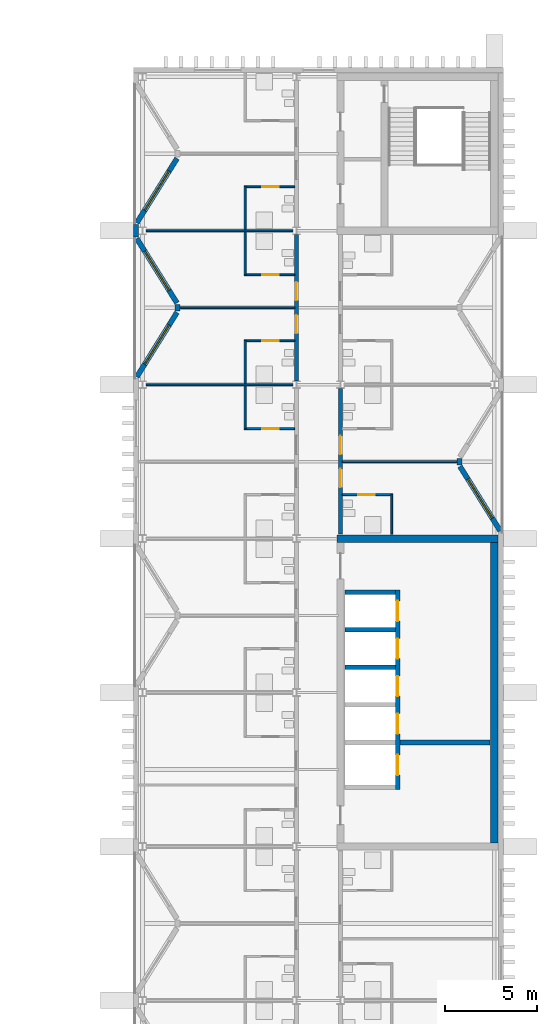
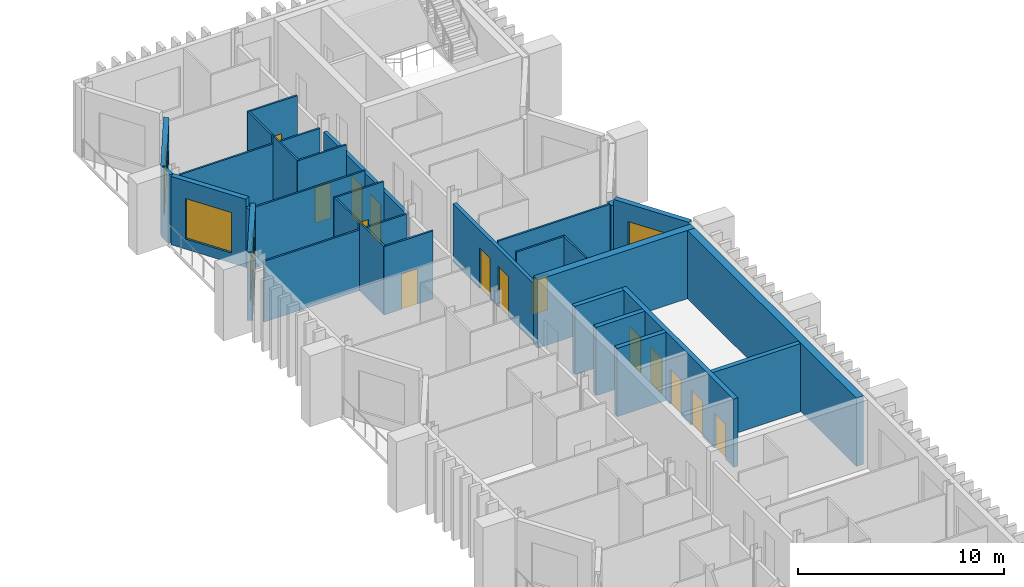
# One storey, part 14 of 18: 30 walls, 14 doors, 4 windows, 18 openings.
"""IFC4 building model written with IfcOpenShell, lengths in metres."""

from ifc_helpers import new_model, si_unit, direction, frame, frame_2d, origin, place, context, subcontext, project, spatial, rectangle, extrude, material, layer, layer_set, type_object, element, fill, save


model = new_model("IFC4")

# Units and contexts
model_context = context("Model", 3, precision=1e-05, world=origin(), true_north=direction((0.0, 1.0)))
body_context = subcontext(model_context, "Body", "Model", "MODEL_VIEW")
ifc_project = project(units=[si_unit("LENGTHUNIT", "METRE"), si_unit("AREAUNIT", "SQUARE_METRE"), si_unit("VOLUMEUNIT", "CUBIC_METRE"), si_unit("PLANEANGLEUNIT", "RADIAN"), si_unit("MASSUNIT", "GRAM", prefix="KILO")], contexts=[model_context])

# Site, building, storey
site_placement = place(None, origin())
site = spatial("IfcSite", under=ifc_project, at=site_placement, CompositionType="ELEMENT")
building_placement = place(site_placement, origin())
building = spatial("IfcBuilding", under=site, at=building_placement, Name="Cresset Court Congress Hotel", CompositionType="ELEMENT")
storey_placement = place(building_placement, frame((0.0, 0.0, 35.39990234375)))
storey = spatial("IfcBuildingStorey", under=building, at=storey_placement, Name="L08", CompositionType="ELEMENT", Elevation=35.39990234375)

# Wall, openings, doors
ifc_material_1 = material(Name="Gypsum board partition")
ifc_layer_1 = layer(ifc_material_1, 0.199951171875)
ifc_layer_set_1 = layer_set([ifc_layer_1], Name="Corridor wall 200")
wall_type_1 = type_object("IfcWallType", Name="Corridor wall 200", PredefinedType="PARTITIONING", material=ifc_layer_set_1)
wall_1_placement = place(storey_placement, frame((165.60009765625, 50.60009765625, 0.0), z_axis=(0.0, 0.0, 1.0), x_axis=(0.0, 1.0, 0.0)))
wall_1 = element("IfcWall", 1, at=wall_1_placement, inside=storey, type_object=wall_type_1, Name="A.wl.L08.076", PredefinedType="PARTITIONING", context=body_context, shape_type="SweptSolid", body=[
    extrude(rectangle(XDim=8.0, YDim=0.199951171875, at=frame_2d((4.0, 0.0))), origin(), (0.0, 0.0, 1.0), 3.4501953125),
])
opening_1_placement = place(wall_1_placement, frame((2.60009765625, 0.0, 0.0)))
opening_1 = element("IfcOpeningElement", 2, at=opening_1_placement, cuts=wall_1, Name="Opening DA-08-26", PredefinedType="OPENING", context=body_context, shape_type="SweptSolid", body=[
    extrude(rectangle(XDim=1.0, YDim=2.39990234375, at=frame_2d((0.5, 1.199951171875))), frame((0.0, 0.10986328125, 0.0), z_axis=(0.0, -1.0, 0.0), x_axis=(1.0, 0.0, 0.0)), (0.0, 0.0, 1.0), 0.219970703125),
])
opening_2_placement = place(wall_1_placement, frame((4.39990234375, 0.0, 0.0)))
opening_2 = element("IfcOpeningElement", 3, at=opening_2_placement, cuts=wall_1, Name="Opening DA-08-28", PredefinedType="OPENING", context=body_context, shape_type="SweptSolid", body=[
    extrude(rectangle(XDim=1.0, YDim=2.39990234375, at=frame_2d((0.5, 1.199951171875))), frame((0.0, 0.10986328125, 0.0), z_axis=(0.0, -1.0, 0.0), x_axis=(1.0, 0.0, 0.0)), (0.0, 0.0, 1.0), 0.219970703125),
])
ifc_material_2 = material(Name="timber", Category="wood")
door_type_1 = type_object("IfcDoorType", Name="Guest-room entry door 1000x2400 FD30S", OperationType="SINGLE_SWING_LEFT", PredefinedType="DOOR", material=ifc_material_2)
door_1_placement = place(opening_1_placement, origin())
door_1 = element("IfcDoor", 4, at=door_1_placement, inside=storey, type_object=door_type_1, Name="Door DA-08-26", OperationType="SINGLE_SWING_RIGHT", OverallHeight=2.39990234375, OverallWidth=1.0, PredefinedType="DOOR", context=body_context, shape_type="SweptSolid", body=[
    extrude(rectangle(XDim=1.0, YDim=2.39990234375, at=frame_2d((0.5, 1.199951171875))), frame((0.0, 0.02490234375, 0.0), z_axis=(0.0, -1.0, 0.0), x_axis=(1.0, 0.0, 0.0)), (0.0, 0.0, 1.0), 0.050048828125),
])
fill(opening_1, door_1)
door_2_placement = place(opening_2_placement, origin())
door_2 = element("IfcDoor", 5, at=door_2_placement, inside=storey, type_object=door_type_1, Name="Door DA-08-28", OperationType="SINGLE_SWING_LEFT", OverallHeight=2.39990234375, OverallWidth=1.0, PredefinedType="DOOR", context=body_context, shape_type="SweptSolid", body=[
    extrude(rectangle(XDim=1.0, YDim=2.39990234375, at=frame_2d((0.5, 1.199951171875))), frame((0.0, 0.02490234375, 0.0), z_axis=(0.0, -1.0, 0.0), x_axis=(1.0, 0.0, 0.0)), (0.0, 0.0, 1.0), 0.050048828125),
])
fill(opening_2, door_2)

wall_2_placement = place(storey_placement, frame((168.0, 42.25, 0.0), z_axis=(0.0, 0.0, 1.0), x_axis=(0.0, 1.0, 0.0)))
wall_2 = element("IfcWall", 6, at=wall_2_placement, inside=storey, type_object=wall_type_1, Name="A.wl.L08.080", PredefinedType="PARTITIONING", context=body_context, shape_type="SweptSolid", body=[
    extrude(rectangle(XDim=7.949951171875, YDim=0.199951171875, at=frame_2d((3.97509765625, 0.0))), origin(), (0.0, 0.0, 1.0), 3.4501953125),
])
opening_3_placement = place(wall_2_placement, frame((2.550048828125, 0.0, 0.0)))
opening_3 = element("IfcOpeningElement", 7, at=opening_3_placement, cuts=wall_2, Name="Opening DA-08-42", PredefinedType="OPENING", context=body_context, shape_type="SweptSolid", body=[
    extrude(rectangle(XDim=1.0, YDim=2.39990234375, at=frame_2d((0.5, 1.199951171875))), frame((0.0, 0.10986328125, 0.0), z_axis=(0.0, -1.0, 0.0), x_axis=(1.0, 0.0, 0.0)), (0.0, 0.0, 1.0), 0.219970703125),
])
opening_4_placement = place(wall_2_placement, frame((4.35009765625, 0.0, 0.0)))
opening_4 = element("IfcOpeningElement", 8, at=opening_4_placement, cuts=wall_2, Name="Opening DA-08-44", PredefinedType="OPENING", context=body_context, shape_type="SweptSolid", body=[
    extrude(rectangle(XDim=1.0, YDim=2.39990234375, at=frame_2d((0.5, 1.199951171875))), frame((0.0, 0.10986328125, 0.0), z_axis=(0.0, -1.0, 0.0), x_axis=(1.0, 0.0, 0.0)), (0.0, 0.0, 1.0), 0.219970703125),
])
door_3_placement = place(opening_3_placement, origin())
door_3 = element("IfcDoor", 9, at=door_3_placement, inside=storey, type_object=door_type_1, Name="Door DA-08-42", OperationType="SINGLE_SWING_RIGHT", OverallHeight=2.39990234375, OverallWidth=1.0, PredefinedType="DOOR", context=body_context, shape_type="SweptSolid", body=[
    extrude(rectangle(XDim=1.0, YDim=2.39990234375, at=frame_2d((0.5, 1.199951171875))), frame((0.0, 0.02490234375, 0.0), z_axis=(0.0, -1.0, 0.0), x_axis=(1.0, 0.0, 0.0)), (0.0, 0.0, 1.0), 0.050048828125),
])
fill(opening_3, door_3)
door_4_placement = place(opening_4_placement, origin())
door_4 = element("IfcDoor", 10, at=door_4_placement, inside=storey, type_object=door_type_1, Name="Door DA-08-44", OperationType="SINGLE_SWING_LEFT", OverallHeight=2.39990234375, OverallWidth=1.0, PredefinedType="DOOR", context=body_context, shape_type="SweptSolid", body=[
    extrude(rectangle(XDim=1.0, YDim=2.39990234375, at=frame_2d((0.5, 1.199951171875))), frame((0.0, 0.02490234375, 0.0), z_axis=(0.0, -1.0, 0.0), x_axis=(1.0, 0.0, 0.0)), (0.0, 0.0, 1.0), 0.050048828125),
])
fill(opening_4, door_4)

# Wall
ifc_material_3 = material(Name="Gypsum board partition")
ifc_layer_2 = layer(ifc_material_3, 0.10009765625)
ifc_layer_set_2 = layer_set([ifc_layer_2], Name="En-suite wall 100")
wall_type_2 = type_object("IfcWallType", Name="En-suite wall 100", PredefinedType="PARTITIONING", material=ifc_layer_set_2)
wall_3_placement = place(storey_placement, frame((162.800048828125, 48.0, 0.0), z_axis=(0.0, 0.0, 1.0), x_axis=(0.0, 1.0, 0.0)))
element("IfcWall", 11, at=wall_3_placement, inside=storey, type_object=wall_type_2, Name="A.wl.L08.023", PredefinedType="PARTITIONING", context=body_context, shape_type="SweptSolid", body=[
    extrude(rectangle(XDim=2.324951171875, YDim=0.10009765625, at=frame_2d((1.16259765625, 0.0))), origin(), (0.0, 0.0, 1.0), 4.050048828125),
])

# Wall, opening, door
wall_4_placement = place(storey_placement, frame((162.75, 48.0, 0.0), z_axis=(0.0, 0.0, 1.0), x_axis=(1.0, 0.0, 0.0)))
wall_4 = element("IfcWall", 12, at=wall_4_placement, inside=storey, type_object=wall_type_2, Name="A.wl.L08.024", PredefinedType="PARTITIONING", context=body_context, shape_type="SweptSolid", body=[
    extrude(rectangle(XDim=2.75, YDim=0.10009765625, at=frame_2d((1.375, 0.0))), origin(), (0.0, 0.0, 1.0), 4.050048828125),
])
opening_5_placement = place(wall_4_placement, frame((0.97998046875, 0.0, 0.0)))
opening_5 = element("IfcOpeningElement", 13, at=opening_5_placement, cuts=wall_4, Name="Opening DA-08-23", PredefinedType="OPENING", context=body_context, shape_type="SweptSolid", body=[
    extrude(rectangle(XDim=0.89990234375, YDim=2.10009765625, at=frame_2d((0.449951171875, 1.050048828125))), frame((0.0, 0.06005859375, 0.0), z_axis=(0.0, -1.0, 0.0), x_axis=(1.0, 0.0, 0.0)), (0.0, 0.0, 1.0), 0.1201171875),
])
ifc_material_4 = material(Name="timber", Category="wood")
door_type_2 = type_object("IfcDoorType", Name="En-suite door 900x2100", OperationType="SINGLE_SWING_LEFT", PredefinedType="DOOR", material=ifc_material_4)
door_5_placement = place(opening_5_placement, origin())
door_5 = element("IfcDoor", 14, at=door_5_placement, inside=storey, type_object=door_type_2, Name="Door DA-08-23", OperationType="SINGLE_SWING_LEFT", OverallHeight=2.10009765625, OverallWidth=0.89990234375, PredefinedType="DOOR", context=body_context, shape_type="SweptSolid", body=[
    extrude(rectangle(XDim=0.89990234375, YDim=2.10009765625, at=frame_2d((0.449951171875, 1.050048828125))), frame((0.0, 0.02490234375, 0.0), z_axis=(0.0, -1.0, 0.0), x_axis=(1.0, 0.0, 0.0)), (0.0, 0.0, 1.0), 0.050048828125),
])
fill(opening_5, door_5)

# Wall
wall_5_placement = place(storey_placement, frame((162.800048828125, 50.47509765625, 0.0), z_axis=(0.0, 0.0, 1.0), x_axis=(0.0, 1.0, 0.0)))
element("IfcWall", 15, at=wall_5_placement, inside=storey, type_object=wall_type_2, Name="A.wl.L08.025", PredefinedType="PARTITIONING", context=body_context, shape_type="SweptSolid", body=[
    extrude(rectangle(XDim=2.324951171875, YDim=0.10009765625, at=frame_2d((1.16259765625, 0.0))), origin(), (0.0, 0.0, 1.0), 4.050048828125),
])

# Wall, opening, door
wall_6_placement = place(storey_placement, frame((162.75, 52.800048828125, 0.0), z_axis=(0.0, 0.0, 1.0), x_axis=(1.0, 0.0, 0.0)))
wall_6 = element("IfcWall", 16, at=wall_6_placement, inside=storey, type_object=wall_type_2, Name="A.wl.L08.026", PredefinedType="PARTITIONING", context=body_context, shape_type="SweptSolid", body=[
    extrude(rectangle(XDim=2.75, YDim=0.10009765625, at=frame_2d((1.375, 0.0))), origin(), (0.0, 0.0, 1.0), 4.050048828125),
])
opening_6_placement = place(wall_6_placement, frame((0.97998046875, 0.0, 0.0)))
opening_6 = element("IfcOpeningElement", 17, at=opening_6_placement, cuts=wall_6, Name="Opening DA-08-25", PredefinedType="OPENING", context=body_context, shape_type="SweptSolid", body=[
    extrude(rectangle(XDim=0.89990234375, YDim=2.10009765625, at=frame_2d((0.449951171875, 1.050048828125))), frame((0.0, 0.06005859375, 0.0), z_axis=(0.0, -1.0, 0.0), x_axis=(1.0, 0.0, 0.0)), (0.0, 0.0, 1.0), 0.1201171875),
])
door_6_placement = place(opening_6_placement, origin())
door_6 = element("IfcDoor", 18, at=door_6_placement, inside=storey, type_object=door_type_2, Name="Door DA-08-25", OperationType="SINGLE_SWING_RIGHT", OverallHeight=2.10009765625, OverallWidth=0.89990234375, PredefinedType="DOOR", context=body_context, shape_type="SweptSolid", body=[
    extrude(rectangle(XDim=0.89990234375, YDim=2.10009765625, at=frame_2d((0.449951171875, 1.050048828125))), frame((0.0, 0.02490234375, 0.0), z_axis=(0.0, -1.0, 0.0), x_axis=(1.0, 0.0, 0.0)), (0.0, 0.0, 1.0), 0.050048828125),
])
fill(opening_6, door_6)

# Wall
wall_7_placement = place(storey_placement, frame((162.800048828125, 56.39990234375, 0.0), z_axis=(0.0, 0.0, 1.0), x_axis=(0.0, 1.0, 0.0)))
element("IfcWall", 19, at=wall_7_placement, inside=storey, type_object=wall_type_2, Name="A.wl.L08.027", PredefinedType="PARTITIONING", context=body_context, shape_type="SweptSolid", body=[
    extrude(rectangle(XDim=2.3251953125, YDim=0.10009765625, at=frame_2d((1.16259765625, 0.0))), origin(), (0.0, 0.0, 1.0), 4.050048828125),
])

# Wall, opening, door
wall_8_placement = place(storey_placement, frame((162.75, 56.39990234375, 0.0), z_axis=(0.0, 0.0, 1.0), x_axis=(1.0, 0.0, 0.0)))
wall_8 = element("IfcWall", 20, at=wall_8_placement, inside=storey, type_object=wall_type_2, Name="A.wl.L08.028", PredefinedType="PARTITIONING", context=body_context, shape_type="SweptSolid", body=[
    extrude(rectangle(XDim=2.75, YDim=0.10009765625, at=frame_2d((1.375, 0.0))), origin(), (0.0, 0.0, 1.0), 4.050048828125),
])
opening_7_placement = place(wall_8_placement, frame((0.97998046875, 0.0, 0.0)))
opening_7 = element("IfcOpeningElement", 21, at=opening_7_placement, cuts=wall_8, Name="Opening DA-08-27", PredefinedType="OPENING", context=body_context, shape_type="SweptSolid", body=[
    extrude(rectangle(XDim=0.89990234375, YDim=2.10009765625, at=frame_2d((0.449951171875, 1.050048828125))), frame((0.0, 0.06005859375, 0.0), z_axis=(0.0, -1.0, 0.0), x_axis=(1.0, 0.0, 0.0)), (0.0, 0.0, 1.0), 0.1201171875),
])
door_7_placement = place(opening_7_placement, origin())
door_7 = element("IfcDoor", 22, at=door_7_placement, inside=storey, type_object=door_type_2, Name="Door DA-08-27", OperationType="SINGLE_SWING_LEFT", OverallHeight=2.10009765625, OverallWidth=0.89990234375, PredefinedType="DOOR", context=body_context, shape_type="SweptSolid", body=[
    extrude(rectangle(XDim=0.89990234375, YDim=2.10009765625, at=frame_2d((0.449951171875, 1.050048828125))), frame((0.0, 0.02490234375, 0.0), z_axis=(0.0, -1.0, 0.0), x_axis=(1.0, 0.0, 0.0)), (0.0, 0.0, 1.0), 0.050048828125),
])
fill(opening_7, door_7)

# Wall
wall_9_placement = place(storey_placement, frame((162.800048828125, 58.875, 0.0), z_axis=(0.0, 0.0, 1.0), x_axis=(0.0, 1.0, 0.0)))
element("IfcWall", 23, at=wall_9_placement, inside=storey, type_object=wall_type_2, Name="A.wl.L08.029", PredefinedType="PARTITIONING", context=body_context, shape_type="SweptSolid", body=[
    extrude(rectangle(XDim=2.324951171875, YDim=0.10009765625, at=frame_2d((1.16259765625, 0.0))), origin(), (0.0, 0.0, 1.0), 4.050048828125),
])

# Wall, opening, door
wall_10_placement = place(storey_placement, frame((162.75, 61.199951171875, 0.0), z_axis=(0.0, 0.0, 1.0), x_axis=(1.0, 0.0, 0.0)))
wall_10 = element("IfcWall", 24, at=wall_10_placement, inside=storey, type_object=wall_type_2, Name="A.wl.L08.030", PredefinedType="PARTITIONING", context=body_context, shape_type="SweptSolid", body=[
    extrude(rectangle(XDim=2.75, YDim=0.10009765625, at=frame_2d((1.375, 0.0))), origin(), (0.0, 0.0, 1.0), 4.050048828125),
])
opening_8_placement = place(wall_10_placement, frame((0.97998046875, 0.0, 0.0)))
opening_8 = element("IfcOpeningElement", 25, at=opening_8_placement, cuts=wall_10, Name="Opening DA-08-29", PredefinedType="OPENING", context=body_context, shape_type="SweptSolid", body=[
    extrude(rectangle(XDim=0.89990234375, YDim=2.10009765625, at=frame_2d((0.449951171875, 1.050048828125))), frame((0.0, 0.06005859375, 0.0), z_axis=(0.0, -1.0, 0.0), x_axis=(1.0, 0.0, 0.0)), (0.0, 0.0, 1.0), 0.1201171875),
])
door_8_placement = place(opening_8_placement, origin())
door_8 = element("IfcDoor", 26, at=door_8_placement, inside=storey, type_object=door_type_2, Name="Door DA-08-29", OperationType="SINGLE_SWING_RIGHT", OverallHeight=2.10009765625, OverallWidth=0.89990234375, PredefinedType="DOOR", context=body_context, shape_type="SweptSolid", body=[
    extrude(rectangle(XDim=0.89990234375, YDim=2.10009765625, at=frame_2d((0.449951171875, 1.050048828125))), frame((0.0, 0.02490234375, 0.0), z_axis=(0.0, -1.0, 0.0), x_axis=(1.0, 0.0, 0.0)), (0.0, 0.0, 1.0), 0.050048828125),
])
fill(opening_8, door_8)

# Wall
wall_11_placement = place(storey_placement, frame((170.800048828125, 42.25, 0.0), z_axis=(0.0, 0.0, 1.0), x_axis=(0.0, 1.0, 0.0)))
element("IfcWall", 27, at=wall_11_placement, inside=storey, type_object=wall_type_2, Name="A.wl.L08.041", PredefinedType="PARTITIONING", context=body_context, shape_type="SweptSolid", body=[
    extrude(rectangle(XDim=2.14990234375, YDim=0.10009765625, at=frame_2d((1.074951171875, 0.0))), origin(), (0.0, 0.0, 1.0), 4.050048828125),
])

# Wall, opening, door
wall_12_placement = place(storey_placement, frame((170.85009765625, 44.39990234375, 0.0), z_axis=(0.0, 0.0, 1.0), x_axis=(-1.0, 0.0, 0.0)))
wall_12 = element("IfcWall", 28, at=wall_12_placement, inside=storey, type_object=wall_type_2, Name="A.wl.L08.042", PredefinedType="PARTITIONING", context=body_context, shape_type="SweptSolid", body=[
    extrude(rectangle(XDim=2.75, YDim=0.10009765625, at=frame_2d((1.375, 0.0))), origin(), (0.0, 0.0, 1.0), 4.050048828125),
])
opening_9_placement = place(wall_12_placement, frame((0.97998046875, 0.0, 0.0)))
opening_9 = element("IfcOpeningElement", 29, at=opening_9_placement, cuts=wall_12, Name="Opening DA-08-41", PredefinedType="OPENING", context=body_context, shape_type="SweptSolid", body=[
    extrude(rectangle(XDim=0.89990234375, YDim=2.10009765625, at=frame_2d((0.449951171875, 1.050048828125))), frame((0.0, 0.06005859375, 0.0), z_axis=(0.0, -1.0, 0.0), x_axis=(1.0, 0.0, 0.0)), (0.0, 0.0, 1.0), 0.1201171875),
])
door_9_placement = place(opening_9_placement, origin())
door_9 = element("IfcDoor", 30, at=door_9_placement, inside=storey, type_object=door_type_2, Name="Door DA-08-41", OperationType="SINGLE_SWING_RIGHT", OverallHeight=2.10009765625, OverallWidth=0.89990234375, PredefinedType="DOOR", context=body_context, shape_type="SweptSolid", body=[
    extrude(rectangle(XDim=0.89990234375, YDim=2.10009765625, at=frame_2d((0.449951171875, 1.050048828125))), frame((0.0, 0.02490234375, 0.0), z_axis=(0.0, -1.0, 0.0), x_axis=(1.0, 0.0, 0.0)), (0.0, 0.0, 1.0), 0.050048828125),
])
fill(opening_9, door_9)

# Wall, opening, window
ifc_material_5 = material(Name="Precast concrete C50", Category="concrete")
ifc_layer_3 = layer(ifc_material_5, 0.280029296875)
ifc_layer_set_3 = layer_set([ifc_layer_3], Name="External wall 280")
wall_type_3 = type_object("IfcWallType", Name="External wall 280", PredefinedType="SOLIDWALL", material=ifc_layer_set_3)
wall_13_placement = place(storey_placement, frame((156.88623046875, 50.82421875, 0.0), z_axis=(0.0, 0.0, 1.0), x_axis=(0.529018946142, 0.848610013271, 0.0)))
wall_13 = element("IfcWall", 31, at=wall_13_placement, inside=storey, type_object=wall_type_3, Name="A.ew.L08.Wn.6.0", PredefinedType="SOLIDWALL", context=body_context, shape_type="SweptSolid", body=[
    extrude(rectangle(XDim=4.144287109375, YDim=0.280029296875, at=frame_2d((2.072265625, 0.0))), origin(), (0.0, 0.0, 1.0), 4.050048828125),
])
opening_10_placement = place(wall_13_placement, frame((0.812255859375, 0.0, 0.60009765625)))
opening_10 = element("IfcOpeningElement", 32, at=opening_10_placement, cuts=wall_13, Name="Opening NA-08-13", PredefinedType="OPENING", context=body_context, shape_type="SweptSolid", body=[
    extrude(rectangle(XDim=2.52001953125, YDim=2.39990234375, at=frame_2d((1.260009765625, 1.199951171875))), frame((0.0, 0.14990234375, 0.0), z_axis=(0.0, -1.0, 0.0), x_axis=(1.0, 0.0, 0.0)), (0.0, 0.0, 1.0), 0.300048828125),
])
ifc_material_6 = material(Name="Aluminium and glass", Category="aluminium")
window_type = type_object("IfcWindowType", Name="Window 2520x2400", PartitioningType="SINGLE_PANEL", PredefinedType="WINDOW", material=ifc_material_6)
window_1_placement = place(opening_10_placement, origin())
window_1 = element("IfcWindow", 33, at=window_1_placement, inside=storey, type_object=window_type, Name="Window NA-08-13", OverallHeight=2.39990234375, OverallWidth=2.52001953125, PartitioningType="SINGLE_PANEL", PredefinedType="WINDOW", context=body_context, shape_type="SweptSolid", body=[
    extrude(rectangle(XDim=2.52001953125, YDim=2.39990234375, at=frame_2d((1.260009765625, 1.199951171875))), frame((0.0, 0.030029296875, 0.0), z_axis=(0.0, -1.0, 0.0), x_axis=(1.0, 0.0, 0.0)), (0.0, 0.0, 1.0), 0.06005859375),
])
fill(opening_10, window_1)

wall_14_placement = place(storey_placement, frame((159.07861328125, 54.85888671875, 0.0), z_axis=(0.0, 0.0, 1.0), x_axis=(-0.528992500338, 0.848626498871, 0.0)))
wall_14 = element("IfcWall", 34, at=wall_14_placement, inside=storey, type_object=wall_type_3, Name="A.ew.L08.Wn.6.1", PredefinedType="SOLIDWALL", context=body_context, shape_type="SweptSolid", body=[
    extrude(rectangle(XDim=4.14453125, YDim=0.280029296875, at=frame_2d((2.072265625, 0.0))), origin(), (0.0, 0.0, 1.0), 4.050048828125),
])
opening_11_placement = place(wall_14_placement, frame((0.812255859375, 0.0, 0.60009765625)))
opening_11 = element("IfcOpeningElement", 35, at=opening_11_placement, cuts=wall_14, Name="Opening NA-08-14", PredefinedType="OPENING", context=body_context, shape_type="SweptSolid", body=[
    extrude(rectangle(XDim=2.52001953125, YDim=2.39990234375, at=frame_2d((1.260009765625, 1.199951171875))), frame((0.0, 0.14990234375, 0.0), z_axis=(0.0, -1.0, 0.0), x_axis=(1.0, 0.0, 0.0)), (0.0, 0.0, 1.0), 0.300048828125),
])
window_2_placement = place(opening_11_placement, origin())
window_2 = element("IfcWindow", 36, at=window_2_placement, inside=storey, type_object=window_type, Name="Window NA-08-14", OverallHeight=2.39990234375, OverallWidth=2.52001953125, PartitioningType="SINGLE_PANEL", PredefinedType="WINDOW", context=body_context, shape_type="SweptSolid", body=[
    extrude(rectangle(XDim=2.52001953125, YDim=2.39990234375, at=frame_2d((1.260009765625, 1.199951171875))), frame((0.0, 0.030029296875, 0.0), z_axis=(0.0, -1.0, 0.0), x_axis=(1.0, 0.0, 0.0)), (0.0, 0.0, 1.0), 0.06005859375),
])
fill(opening_11, window_2)

# Walls
wall_15_placement = place(storey_placement, frame((159.099609375, 54.4150390625, 0.0), z_axis=(0.0, 0.0, 1.0), x_axis=(0.0, 1.0, 0.0)))
element("IfcWall", 37, at=wall_15_placement, inside=storey, type_object=wall_type_3, Name="A.ew.L08.Wn.6.2", PredefinedType="SOLIDWALL", context=body_context, shape_type="SweptSolid", body=[
    extrude(rectangle(XDim=0.369873046875, YDim=0.280029296875, at=frame_2d((0.18505859375, 0.0))), origin(), (0.0, 0.0, 1.0), 3.60400390625),
])
wall_16_placement = place(storey_placement, frame((156.840087890625, 58.449951171875, 0.0), z_axis=(0.0, 0.0, 1.0), x_axis=(0.0, 1.0, 0.0)))
element("IfcWall", 38, at=wall_16_placement, inside=storey, type_object=wall_type_3, Name="A.ew.L08.W.5", PredefinedType="SOLIDWALL", context=body_context, shape_type="SweptSolid", body=[
    extrude(rectangle(XDim=0.699951171875, YDim=0.280029296875, at=frame_2d((0.35009765625, 0.0))), origin(), (0.0, 0.0, 1.0), 4.050048828125),
])

# Wall, opening, window
wall_17_placement = place(storey_placement, frame((156.88623046875, 59.22412109375, 0.0), z_axis=(0.0, 0.0, 1.0), x_axis=(0.529018946142, 0.848610013271, 0.0)))
wall_17 = element("IfcWall", 39, at=wall_17_placement, inside=storey, type_object=wall_type_3, Name="A.ew.L08.Wn.7.0", PredefinedType="SOLIDWALL", context=body_context, shape_type="SweptSolid", body=[
    extrude(rectangle(XDim=4.144287109375, YDim=0.280029296875, at=frame_2d((2.072265625, 0.0))), origin(), (0.0, 0.0, 1.0), 4.050048828125),
])
opening_12_placement = place(wall_17_placement, frame((0.812255859375, 0.0, 0.60009765625)))
opening_12 = element("IfcOpeningElement", 40, at=opening_12_placement, cuts=wall_17, Name="Opening NA-08-15", PredefinedType="OPENING", context=body_context, shape_type="SweptSolid", body=[
    extrude(rectangle(XDim=2.52001953125, YDim=2.39990234375, at=frame_2d((1.260009765625, 1.199951171875))), frame((0.0, 0.14990234375, 0.0), z_axis=(0.0, -1.0, 0.0), x_axis=(1.0, 0.0, 0.0)), (0.0, 0.0, 1.0), 0.300048828125),
])
window_3_placement = place(opening_12_placement, origin())
window_3 = element("IfcWindow", 41, at=window_3_placement, inside=storey, type_object=window_type, Name="Window NA-08-15", OverallHeight=2.39990234375, OverallWidth=2.52001953125, PartitioningType="SINGLE_PANEL", PredefinedType="WINDOW", context=body_context, shape_type="SweptSolid", body=[
    extrude(rectangle(XDim=2.52001953125, YDim=2.39990234375, at=frame_2d((1.260009765625, 1.199951171875))), frame((0.0, 0.030029296875, 0.0), z_axis=(0.0, -1.0, 0.0), x_axis=(1.0, 0.0, 0.0)), (0.0, 0.0, 1.0), 0.06005859375),
])
fill(opening_12, window_3)

wall_18_placement = place(storey_placement, frame((176.7138671875, 42.424072265625, 0.0), z_axis=(0.0, 0.0, 1.0), x_axis=(-0.529018946142, 0.848610013271, 0.0)))
wall_18 = element("IfcWall", 42, at=wall_18_placement, inside=storey, type_object=wall_type_3, Name="A.ew.L08.En.5.0", PredefinedType="SOLIDWALL", context=body_context, shape_type="SweptSolid", body=[
    extrude(rectangle(XDim=4.144287109375, YDim=0.280029296875, at=frame_2d((2.072265625, 0.0))), origin(), (0.0, 0.0, 1.0), 4.050048828125),
])
opening_13_placement = place(wall_18_placement, frame((0.81201171875, 0.0, 0.60009765625)))
opening_13 = element("IfcOpeningElement", 43, at=opening_13_placement, cuts=wall_18, Name="Opening NA-08-21", PredefinedType="OPENING", context=body_context, shape_type="SweptSolid", body=[
    extrude(rectangle(XDim=2.52001953125, YDim=2.39990234375, at=frame_2d((1.260009765625, 1.199951171875))), frame((0.0, 0.14990234375, 0.0), z_axis=(0.0, -1.0, 0.0), x_axis=(1.0, 0.0, 0.0)), (0.0, 0.0, 1.0), 0.300048828125),
])
window_4_placement = place(opening_13_placement, origin())
window_4 = element("IfcWindow", 44, at=window_4_placement, inside=storey, type_object=window_type, Name="Window NA-08-21", OverallHeight=2.39990234375, OverallWidth=2.52001953125, PartitioningType="SINGLE_PANEL", PredefinedType="WINDOW", context=body_context, shape_type="SweptSolid", body=[
    extrude(rectangle(XDim=2.52001953125, YDim=2.39990234375, at=frame_2d((1.260009765625, 1.199951171875))), frame((0.0, 0.030029296875, 0.0), z_axis=(0.0, -1.0, 0.0), x_axis=(1.0, 0.0, 0.0)), (0.0, 0.0, 1.0), 0.06005859375),
])
fill(opening_13, window_4)

# Walls
wall_19_placement = place(storey_placement, frame((174.500244140625, 46.01513671875, 0.0), z_axis=(0.0, 0.0, 1.0), x_axis=(0.0, 1.0, 0.0)))
element("IfcWall", 45, at=wall_19_placement, inside=storey, type_object=wall_type_3, Name="A.ew.L08.En.5.2", PredefinedType="SOLIDWALL", context=body_context, shape_type="SweptSolid", body=[
    extrude(rectangle(XDim=0.369873046875, YDim=0.280029296875, at=frame_2d((0.18505859375, 0.0))), origin(), (0.0, 0.0, 1.0), 3.60400390625),
])
ifc_material_7 = material(Name="Gypsum board partition")
ifc_layer_4 = layer(ifc_material_7, 0.10009765625)
ifc_layer_set_4 = layer_set([ifc_layer_4], Name="Guest-room partition 100")
wall_type_4 = type_object("IfcWallType", Name="Guest-room partition 100", PredefinedType="PARTITIONING", material=ifc_layer_set_4)
for number, where, z_axis, x_axis, name in (
    (46, (157.39990234375, 50.39990234375, 0.0), (0.0, 0.0, 1.0), (1.0, 0.0, 0.0), "A.wl.L08.054"),
    (47, (157.39990234375, 58.800048828125, 0.0), (0.0, 0.0, 1.0), (1.0, 0.0, 0.0), "A.wl.L08.055"),
):
    element("IfcWall", number, at=place(storey_placement, frame(where, z_axis=z_axis, x_axis=x_axis)), inside=storey, type_object=wall_type_4, Name=name, PredefinedType="PARTITIONING", context=body_context, shape_type="SweptSolid", body=[
        extrude(rectangle(XDim=8.0, YDim=0.10009765625, at=frame_2d((4.0, 0.0))), origin(), (0.0, 0.0, 1.0), 3.60400390625),
    ])
for number, where, z_axis, x_axis, name in (
    (48, (159.23974609375, 54.60009765625, 0.0), (0.0, 0.0, 1.0), (1.0, 0.0, 0.0), "A.wl.L08.064"),
    (49, (168.10009765625, 46.199951171875, 0.0), (0.0, 0.0, 1.0), (1.0, 0.0, 0.0), "A.wl.L08.068"),
):
    element("IfcWall", number, at=place(storey_placement, frame(where, z_axis=z_axis, x_axis=x_axis)), inside=storey, type_object=wall_type_4, Name=name, PredefinedType="PARTITIONING", context=body_context, shape_type="SweptSolid", body=[
        extrude(rectangle(XDim=6.26025390625, YDim=0.10009765625, at=frame_2d((3.130126953125, 0.0))), origin(), (0.0, 0.0, 1.0), 3.60400390625),
    ])
ifc_material_8 = material(Name="Concrete C50", Category="concrete")
ifc_layer_5 = layer(ifc_material_8, 0.39990234375)
ifc_layer_set_5 = layer_set([ifc_layer_5], Name="Lift core wall 400")
wall_type_5 = type_object("IfcWallType", Name="Lift core wall 400", PredefinedType="SOLIDWALL", material=ifc_layer_set_5)
wall_20_placement = place(storey_placement, frame((167.800048828125, 42.0, 0.0), z_axis=(0.0, 0.0, 1.0), x_axis=(1.0, 0.0, 0.0)))
element("IfcWall", 50, at=wall_20_placement, inside=storey, type_object=wall_type_5, Name="A.cw.LC-A.L08.N", PredefinedType="SOLIDWALL", context=body_context, shape_type="SweptSolid", body=[
    extrude(rectangle(XDim=8.800048828125, YDim=0.39990234375, at=frame_2d((4.39990234375, 0.0))), origin(), (0.0, 0.0, 1.0), 4.050048828125),
])
wall_21_placement = place(storey_placement, frame((176.39990234375, 25.39990234375, 0.0), z_axis=(0.0, 0.0, 1.0), x_axis=(0.0, 1.0, 0.0)))
element("IfcWall", 51, at=wall_21_placement, inside=storey, type_object=wall_type_5, Name="A.cw.LC-A.L08.E", PredefinedType="SOLIDWALL", context=body_context, shape_type="SweptSolid", body=[
    extrude(rectangle(XDim=16.400146484375, YDim=0.39990234375, at=frame_2d((8.2001953125, 0.0))), origin(), (0.0, 0.0, 1.0), 4.050048828125),
])

# Wall, openings, doors
ifc_material_9 = material(Name="Concrete C50", Category="concrete")
ifc_layer_6 = layer(ifc_material_9, 0.25)
ifc_layer_set_6 = layer_set([ifc_layer_6], Name="Lift shaft wall 250")
wall_type_6 = type_object("IfcWallType", Name="Lift shaft wall 250", PredefinedType="SOLIDWALL", material=ifc_layer_set_6)
wall_22_placement = place(storey_placement, frame((171.125, 28.300048828125, 0.0), z_axis=(0.0, 0.0, 1.0), x_axis=(0.0, 1.0, 0.0)))
wall_22 = element("IfcWall", 52, at=wall_22_placement, inside=storey, type_object=wall_type_6, Name="A.wl.L08.086", PredefinedType="SOLIDWALL", context=body_context, shape_type="SweptSolid", body=[
    extrude(rectangle(XDim=10.89990234375, YDim=0.25, at=frame_2d((5.449951171875, 0.0))), origin(), (0.0, 0.0, 1.0), 4.050048828125),
])
opening_14_placement = place(wall_22_placement, frame((0.800048828125, 0.0, 0.0)))
opening_14 = element("IfcOpeningElement", 53, at=opening_14_placement, cuts=wall_22, Name="Opening LD-A1-08", PredefinedType="OPENING", context=body_context, shape_type="SweptSolid", body=[
    extrude(rectangle(XDim=1.10009765625, YDim=2.10009765625, at=frame_2d((0.550048828125, 1.050048828125))), frame((0.0, 0.135009765625, 0.0), z_axis=(0.0, -1.0, 0.0), x_axis=(1.0, 0.0, 0.0)), (0.0, 0.0, 1.0), 0.27001953125),
])
opening_15_placement = place(wall_22_placement, frame((3.050048828125, 0.0, 0.0)))
opening_15 = element("IfcOpeningElement", 54, at=opening_15_placement, cuts=wall_22, Name="Opening LD-A2-08", PredefinedType="OPENING", context=body_context, shape_type="SweptSolid", body=[
    extrude(rectangle(XDim=1.10009765625, YDim=2.10009765625, at=frame_2d((0.550048828125, 1.050048828125))), frame((0.0, 0.135009765625, 0.0), z_axis=(0.0, -1.0, 0.0), x_axis=(1.0, 0.0, 0.0)), (0.0, 0.0, 1.0), 0.27001953125),
])
opening_16_placement = place(wall_22_placement, frame((5.10009765625, 0.0, 0.0)))
opening_16 = element("IfcOpeningElement", 55, at=opening_16_placement, cuts=wall_22, Name="Opening LD-A3-08", PredefinedType="OPENING", context=body_context, shape_type="SweptSolid", body=[
    extrude(rectangle(XDim=1.10009765625, YDim=2.10009765625, at=frame_2d((0.550048828125, 1.050048828125))), frame((0.0, 0.135009765625, 0.0), z_axis=(0.0, -1.0, 0.0), x_axis=(1.0, 0.0, 0.0)), (0.0, 0.0, 1.0), 0.27001953125),
])
opening_17_placement = place(wall_22_placement, frame((7.14990234375, 0.0, 0.0)))
opening_17 = element("IfcOpeningElement", 56, at=opening_17_placement, cuts=wall_22, Name="Opening LD-A4-08", PredefinedType="OPENING", context=body_context, shape_type="SweptSolid", body=[
    extrude(rectangle(XDim=1.10009765625, YDim=2.10009765625, at=frame_2d((0.550048828125, 1.050048828125))), frame((0.0, 0.135009765625, 0.0), z_axis=(0.0, -1.0, 0.0), x_axis=(1.0, 0.0, 0.0)), (0.0, 0.0, 1.0), 0.27001953125),
])
opening_18_placement = place(wall_22_placement, frame((9.199951171875, 0.0, 0.0)))
opening_18 = element("IfcOpeningElement", 57, at=opening_18_placement, cuts=wall_22, Name="Opening LD-A5-08", PredefinedType="OPENING", context=body_context, shape_type="SweptSolid", body=[
    extrude(rectangle(XDim=1.10009765625, YDim=2.10009765625, at=frame_2d((0.550048828125, 1.050048828125))), frame((0.0, 0.135009765625, 0.0), z_axis=(0.0, -1.0, 0.0), x_axis=(1.0, 0.0, 0.0)), (0.0, 0.0, 1.0), 0.27001953125),
])
ifc_material_10 = material(Name="stainless steel", Category="steel")
door_type_3 = type_object("IfcDoorType", Name="Lift landing door 1100x2100 E 60", OperationType="SLIDING_TO_LEFT", PredefinedType="DOOR", material=ifc_material_10)
door_10_placement = place(opening_14_placement, origin())
door_10 = element("IfcDoor", 58, at=door_10_placement, inside=storey, type_object=door_type_3, Name="Lift landing door LD-A1-08", OperationType="SLIDING_TO_LEFT", OverallHeight=2.10009765625, OverallWidth=1.10009765625, PredefinedType="DOOR", context=body_context, shape_type="SweptSolid", body=[
    extrude(rectangle(XDim=1.10009765625, YDim=2.10009765625, at=frame_2d((0.550048828125, 1.050048828125))), frame((0.0, 0.02490234375, 0.0), z_axis=(0.0, -1.0, 0.0), x_axis=(1.0, 0.0, 0.0)), (0.0, 0.0, 1.0), 0.050048828125),
])
fill(opening_14, door_10)
door_11_placement = place(opening_15_placement, origin())
door_11 = element("IfcDoor", 59, at=door_11_placement, inside=storey, type_object=door_type_3, Name="Lift landing door LD-A2-08", OperationType="SLIDING_TO_LEFT", OverallHeight=2.10009765625, OverallWidth=1.10009765625, PredefinedType="DOOR", context=body_context, shape_type="SweptSolid", body=[
    extrude(rectangle(XDim=1.10009765625, YDim=2.10009765625, at=frame_2d((0.550048828125, 1.050048828125))), frame((0.0, 0.02490234375, 0.0), z_axis=(0.0, -1.0, 0.0), x_axis=(1.0, 0.0, 0.0)), (0.0, 0.0, 1.0), 0.050048828125),
])
fill(opening_15, door_11)
door_12_placement = place(opening_16_placement, origin())
door_12 = element("IfcDoor", 60, at=door_12_placement, inside=storey, type_object=door_type_3, Name="Lift landing door LD-A3-08", OperationType="SLIDING_TO_LEFT", OverallHeight=2.10009765625, OverallWidth=1.10009765625, PredefinedType="DOOR", context=body_context, shape_type="SweptSolid", body=[
    extrude(rectangle(XDim=1.10009765625, YDim=2.10009765625, at=frame_2d((0.550048828125, 1.050048828125))), frame((0.0, 0.02490234375, 0.0), z_axis=(0.0, -1.0, 0.0), x_axis=(1.0, 0.0, 0.0)), (0.0, 0.0, 1.0), 0.050048828125),
])
fill(opening_16, door_12)
door_13_placement = place(opening_17_placement, origin())
door_13 = element("IfcDoor", 61, at=door_13_placement, inside=storey, type_object=door_type_3, Name="Lift landing door LD-A4-08", OperationType="SLIDING_TO_LEFT", OverallHeight=2.10009765625, OverallWidth=1.10009765625, PredefinedType="DOOR", context=body_context, shape_type="SweptSolid", body=[
    extrude(rectangle(XDim=1.10009765625, YDim=2.10009765625, at=frame_2d((0.550048828125, 1.050048828125))), frame((0.0, 0.02490234375, 0.0), z_axis=(0.0, -1.0, 0.0), x_axis=(1.0, 0.0, 0.0)), (0.0, 0.0, 1.0), 0.050048828125),
])
fill(opening_17, door_13)
door_14_placement = place(opening_18_placement, origin())
door_14 = element("IfcDoor", 62, at=door_14_placement, inside=storey, type_object=door_type_3, Name="Lift landing door LD-A5-08", OperationType="SLIDING_TO_LEFT", OverallHeight=2.10009765625, OverallWidth=1.10009765625, PredefinedType="DOOR", context=body_context, shape_type="SweptSolid", body=[
    extrude(rectangle(XDim=1.10009765625, YDim=2.10009765625, at=frame_2d((0.550048828125, 1.050048828125))), frame((0.0, 0.02490234375, 0.0), z_axis=(0.0, -1.0, 0.0), x_axis=(1.0, 0.0, 0.0)), (0.0, 0.0, 1.0), 0.050048828125),
])
fill(opening_18, door_14)

# Walls
for number, where, z_axis, x_axis, name in (
    (63, (168.25, 34.97509765625, 0.0), (0.0, 0.0, 1.0), (1.0, 0.0, 0.0), "A.wl.L08.090"),
    (64, (168.25, 37.02490234375, 0.0), (0.0, 0.0, 1.0), (1.0, 0.0, 0.0), "A.wl.L08.091"),
    (65, (168.25, 39.074951171875, 0.0), (0.0, 0.0, 1.0), (1.0, 0.0, 0.0), "A.wl.L08.092"),
):
    element("IfcWall", number, at=place(storey_placement, frame(where, z_axis=z_axis, x_axis=x_axis)), inside=storey, type_object=wall_type_6, Name=name, PredefinedType="SOLIDWALL", context=body_context, shape_type="SweptSolid", body=[
        extrude(rectangle(XDim=2.75, YDim=0.25, at=frame_2d((1.375, 0.0))), origin(), (0.0, 0.0, 1.0), 4.050048828125),
    ])
wall_23_placement = place(storey_placement, frame((171.25, 30.875, 0.0), z_axis=(0.0, 0.0, 1.0), x_axis=(1.0, 0.0, 0.0)))
element("IfcWall", 66, at=wall_23_placement, inside=storey, type_object=wall_type_6, Name="A.wl.L08.093", PredefinedType="SOLIDWALL", context=body_context, shape_type="SweptSolid", body=[
    extrude(rectangle(XDim=4.89990234375, YDim=0.25, at=frame_2d((2.449951171875, 0.0))), origin(), (0.0, 0.0, 1.0), 4.050048828125),
])

save(model, "model.ifc")
